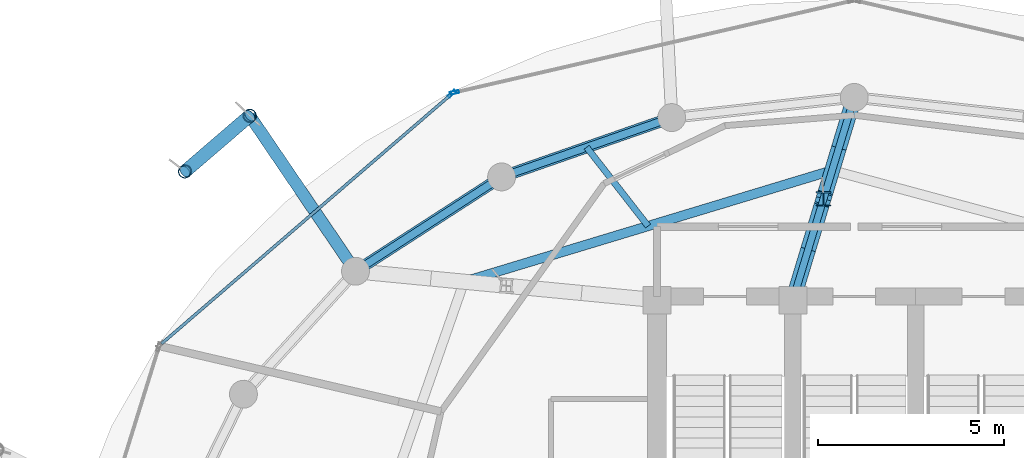
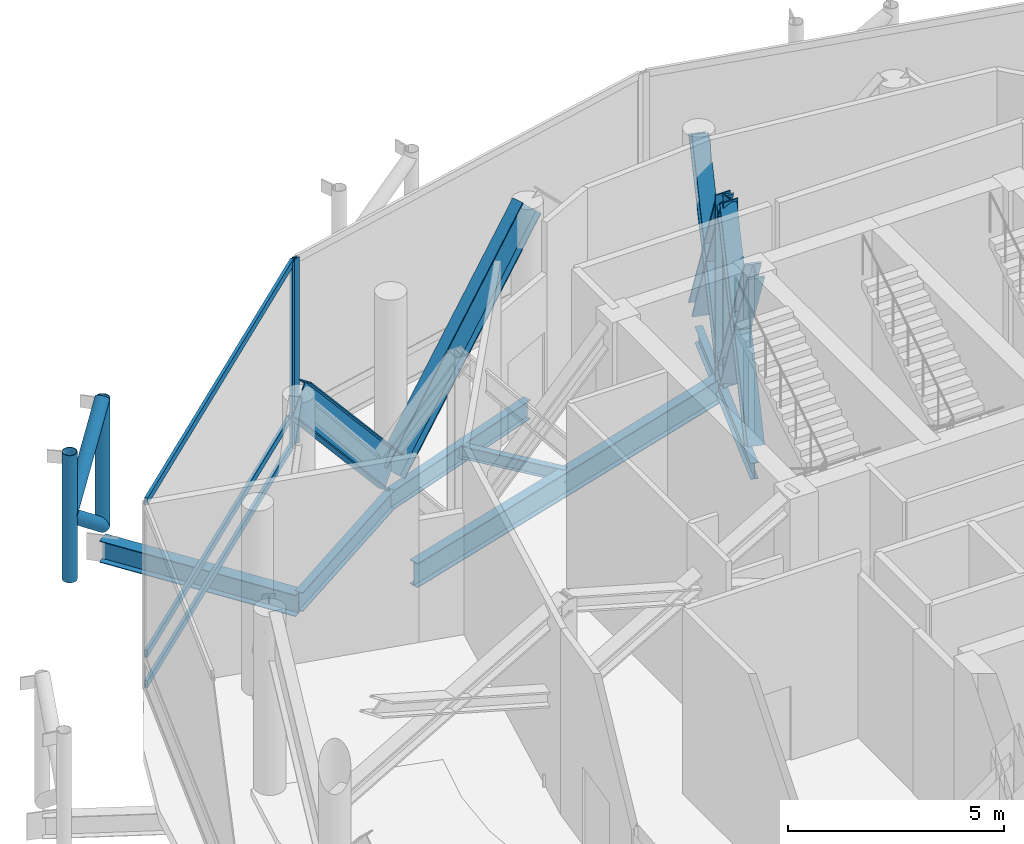
# One storey, part 13 of 26: 16 members, 6 beams, 2 elements without a shape of their own.
"""IFC4 building model written with IfcOpenShell, lengths in metres."""

from ifc_helpers import new_model, si_unit, direction, frame, origin, origin_2d, place, context, subcontext, project, spatial, hollow_rectangle, hollow_circle, i_section, extrude, material, layer, layer_set, material_profile, profile_set, type_object, element, aggregate, save


model = new_model("IFC4")

# Units and contexts
model_context = context("Model", 3, precision=1e-05, world=origin(), true_north=direction((0.0, 1.0)))
body_context = subcontext(model_context, "Body", "Model", "MODEL_VIEW")
ifc_project = project(units=[si_unit("LENGTHUNIT", "METRE"), si_unit("AREAUNIT", "SQUARE_METRE"), si_unit("VOLUMEUNIT", "CUBIC_METRE"), si_unit("PLANEANGLEUNIT", "RADIAN"), si_unit("MASSUNIT", "GRAM", prefix="KILO")], contexts=[model_context])

# Site, building, storey
site_placement = place(None, origin())
site = spatial("IfcSite", under=ifc_project, at=site_placement, CompositionType="ELEMENT")
building_placement = place(site_placement, origin())
building = spatial("IfcBuilding", under=site, at=building_placement, Name="Nuhasar Tower", CompositionType="ELEMENT")
storey_placement = place(building_placement, frame((0.0, 0.0, 301.199951171875)))
storey = spatial("IfcBuildingStorey", under=building, at=storey_placement, Name="L75", CompositionType="ELEMENT", Elevation=301.199951171875)

# Members
ifc_material_1 = material(Name="Steel S460", Category="steel")
ifc_material_profile_1 = material_profile(ifc_material_1, i_section(OverallWidth=0.306884765625, OverallDepth=0.927001953125, WebThickness=0.019287109375, FlangeThickness=0.031982421875, at=origin_2d()), Name="W36X194")
ifc_profile_set_1 = profile_set([ifc_material_profile_1], Name="Steel S460")
member_type_1 = type_object("IfcMemberType", Name="BLT-DIAG-W36B", PredefinedType="CHORD", material=ifc_profile_set_1)
member_1_placement = place(storey_placement, frame((29.52490234375, 40.613037109375, 0.150146484375), z_axis=(0.660125360585, 0.230245124166, 0.714997686087), x_axis=(-0.329332415729, 0.944214043504, 0.0)))
element("IfcMember", 1, at=member_1_placement, inside=storey, type_object=member_type_1, Name="L75 Belt Truss Diagonal 08", PredefinedType="CHORD", context=body_context, shape_type="SweptSolid", body=[
    extrude(i_section(OverallWidth=0.306884765625, OverallDepth=0.927001953125, WebThickness=0.019287109375, FlangeThickness=0.031982421875, at=origin_2d()), origin(), (0.0, 0.0, 1.0), 6.923095703125),
])
member_2_placement = place(storey_placement, frame((29.52490234375, 40.613037109375, 0.150146484375), z_axis=(-0.576596829619, -0.372442241774, 0.727202085129), x_axis=(0.54258381147, -0.840001671147, 0.0)))
element("IfcMember", 2, at=member_2_placement, inside=storey, type_object=member_type_1, Name="L75 Belt Truss Diagonal 09", PredefinedType="CHORD", context=body_context, shape_type="SweptSolid", body=[
    extrude(i_section(OverallWidth=0.306884765625, OverallDepth=0.927001953125, WebThickness=0.019287109375, FlangeThickness=0.031982421875, at=origin_2d()), origin(), (0.0, 0.0, 1.0), 6.806884765625),
])

# Beams
ifc_material_2 = material(Name="Steel S355", Category="steel")
ifc_material_profile_2 = material_profile(ifc_material_2, i_section(OverallWidth=0.25390625, OverallDepth=0.68408203125, WebThickness=0.012451171875, FlangeThickness=0.018798828125, at=origin_2d()), Name="W27X94")
ifc_profile_set_2 = profile_set([ifc_material_profile_2], Name="Steel S355")
beam_type_1 = type_object("IfcBeamType", Name="BM-INRING-W27X94", PredefinedType="BEAM", material=ifc_profile_set_2)
beam_1_placement = place(storey_placement, frame((38.406005859375, 40.7880859375, -0.69189453125), z_axis=(-0.957210818407, -0.289391515294, 0.0), x_axis=(0.289391515294, -0.957210818407, 0.0)))
element("IfcBeam", 3, at=beam_1_placement, inside=storey, type_object=beam_type_1, Name="L75 Inner Header Beam 06", PredefinedType="BEAM", context=body_context, shape_type="SweptSolid", body=[
    extrude(i_section(OverallWidth=0.25390625, OverallDepth=0.68408203125, WebThickness=0.012451171875, FlangeThickness=0.018798828125, at=origin_2d()), origin(), (0.0, 0.0, 1.0), 10.33203125),
])
ifc_material_profile_3 = material_profile(ifc_material_2, i_section(OverallWidth=0.1708984375, OverallDepth=0.35205078125, WebThickness=0.0068359375, FlangeThickness=0.009765625, at=origin_2d()), Name="W14X30")
ifc_profile_set_3 = profile_set([ifc_material_profile_3], Name="Steel S355")
beam_type_2 = type_object("IfcBeamType", Name="BM-JST-W14X30", PredefinedType="JOIST", material=ifc_profile_set_3)
beam_2_placement = place(storey_placement, frame((33.4609375, 39.29296875, -0.52587890625), z_axis=(-0.614953767351, 0.788563164256, 0.0), x_axis=(-0.788563164256, -0.614953767351, 0.0)))
element("IfcBeam", 4, at=beam_2_placement, inside=storey, type_object=beam_type_2, Name="L75 Secondary Floor Joist 06", PredefinedType="JOIST", context=body_context, shape_type="SweptSolid", body=[
    extrude(i_section(OverallWidth=0.1708984375, OverallDepth=0.35205078125, WebThickness=0.0068359375, FlangeThickness=0.009765625, at=origin_2d()), origin(), (0.0, 0.0, 1.0), 2.6845703125),
])
ifc_material_profile_4 = material_profile(ifc_material_2, i_section(OverallWidth=0.18994140625, OverallDepth=0.45703125, WebThickness=0.009033203125, FlangeThickness=0.014404296875, at=origin_2d()), Name="W18X50")
ifc_profile_set_4 = profile_set([ifc_material_profile_4], Name="Steel S355")
beam_type_3 = type_object("IfcBeamType", Name="BM-RAD-W18X50", PredefinedType="BEAM", material=ifc_profile_set_4)
beam_3_placement = place(storey_placement, frame((37.35009765625, 37.300048828125, -0.577880859375), z_axis=(0.289750350206, 0.957102259195, 0.0), x_axis=(-0.957102259195, 0.289750350206, 0.0)))
element("IfcBeam", 5, at=beam_3_placement, inside=storey, type_object=beam_type_3, Name="L75 Radial Floor Girder 06", PredefinedType="BEAM", context=body_context, shape_type="SweptSolid", body=[
    extrude(i_section(OverallWidth=0.18994140625, OverallDepth=0.45703125, WebThickness=0.009033203125, FlangeThickness=0.014404296875, at=origin_2d()), origin(), (0.0, 0.0, 1.0), 5.6943359375),
])
ifc_material_profile_5 = material_profile(ifc_material_2, i_section(OverallWidth=0.2099609375, OverallDepth=0.537109375, WebThickness=0.010986328125, FlangeThickness=0.017333984375, at=origin_2d()), Name="W21X68")
ifc_profile_set_5 = profile_set([ifc_material_profile_5], Name="Steel S355")
beam_type_4 = type_object("IfcBeamType", Name="BM-RING-W21X68", PredefinedType="SPANDREL", material=ifc_profile_set_5)
beam_4_placement = place(storey_placement, frame((34.094970703125, 42.20703125, -0.617919921875), z_axis=(-0.944214043504, -0.329332415729, 0.0), x_axis=(0.329332415729, -0.944214043504, 0.0)))
element("IfcBeam", 6, at=beam_4_placement, inside=storey, type_object=beam_type_4, Name="L75 Perimeter Ring Spandrel 08", PredefinedType="SPANDREL", context=body_context, shape_type="SweptSolid", body=[
    extrude(i_section(OverallWidth=0.2099609375, OverallDepth=0.537109375, WebThickness=0.010986328125, FlangeThickness=0.017333984375, at=origin_2d()), origin(), (0.0, 0.0, 1.0), 4.840087890625),
])
beam_5_placement = place(storey_placement, frame((29.52490234375, 40.613037109375, -0.617919921875), z_axis=(-0.840001671147, -0.54258381147, 0.0), x_axis=(0.54258381147, -0.840001671147, 0.0)))
element("IfcBeam", 7, at=beam_5_placement, inside=storey, type_object=beam_type_4, Name="L75 Perimeter Ring Spandrel 09", PredefinedType="SPANDREL", context=body_context, shape_type="SweptSolid", body=[
    extrude(i_section(OverallWidth=0.2099609375, OverallDepth=0.537109375, WebThickness=0.010986328125, FlangeThickness=0.017333984375, at=origin_2d()), origin(), (0.0, 0.0, 1.0), 4.67236328125),
])
ifc_material_profile_6 = material_profile(ifc_material_2, i_section(OverallWidth=0.323974609375, OverallDepth=0.611083984375, WebThickness=0.0126953125, FlangeThickness=0.01904296875, at=origin_2d()), Name="W24X104")
ifc_profile_set_6 = profile_set([ifc_material_profile_6], Name="Steel S355")
beam_type_5 = type_object("IfcBeamType", Name="BM-TIE-W24X104", PredefinedType="BEAM", material=ifc_profile_set_6)
beam_6_placement = place(storey_placement, frame((25.60009765625, 38.077880859375, -0.655029296875), z_axis=(-0.562070792096, 0.827089127405, 0.0), x_axis=(-0.827089127405, -0.562070792096, 0.0)))
element("IfcBeam", 8, at=beam_6_placement, inside=storey, type_object=beam_type_5, Name="L75 Exoskeleton Node Tie Beam 05", PredefinedType="BEAM", context=body_context, shape_type="SweptSolid", body=[
    extrude(i_section(OverallWidth=0.323974609375, OverallDepth=0.611083984375, WebThickness=0.0126953125, FlangeThickness=0.01904296875, at=origin_2d()), origin(), (0.0, 0.0, 1.0), 5.052978515625),
])

# Curtain wall, member
ifc_material_3 = material(Name="Aluminium 6063-T6", Category="aluminium")
ifc_layer = layer(ifc_material_3, 0.219970703125)
ifc_layer_set = layer_set([ifc_layer], Name="Aluminium 6063-T6")
curtain_wall_type = type_object("IfcCurtainWallType", Name="CW-CROWN", PredefinedType="NOTDEFINED", material=ifc_layer_set)
curtain_wall_1_placement = place(storey_placement, origin())
curtain_wall_1 = element("IfcCurtainWall", 9, at=curtain_wall_1_placement, inside=storey, type_object=curtain_wall_type, Name="L75 Unitised Curtain Wall 04", PredefinedType="NOTDEFINED")
ifc_material_profile_7 = material_profile(ifc_material_3, hollow_rectangle(XDim=0.080078125, YDim=0.239990234375, WallThickness=0.0048828125, at=origin_2d()), Name="CWM-7")
ifc_profile_set_7 = profile_set([ifc_material_profile_7], Name="Aluminium 6063-T6")
member_type_2 = type_object("IfcMemberType", Name="CW-MUL-S7", PredefinedType="MULLION", material=ifc_profile_set_7)
member_3_placement = place(storey_placement, frame((28.259033203125, 42.882080078125, 0.0), z_axis=(0.0, 0.0, 1.0), x_axis=(0.224800092578, -0.974404904738, 0.0)))
member_3 = element("IfcMember", 10, at=member_3_placement, type_object=member_type_2, Name="CW-CR mullion 2", PredefinedType="MULLION", context=body_context, shape_type="SweptSolid", body=[
    extrude(hollow_rectangle(XDim=0.080078125, YDim=0.239990234375, WallThickness=0.0048828125, at=origin_2d()), origin(), (0.0, 0.0, 1.0), 5.25),
])
aggregate(curtain_wall_1, [member_3])

# Curtain wall, members
curtain_wall_2_placement = place(storey_placement, origin())
curtain_wall_2 = element("IfcCurtainWall", 11, at=curtain_wall_2_placement, inside=storey, type_object=curtain_wall_type, Name="L75 Unitised Curtain Wall 05", PredefinedType="NOTDEFINED")
member_4_placement = place(storey_placement, frame((28.189697265625, 42.846923828125, 0.0), z_axis=(0.0, 0.0, 1.0), x_axis=(0.652363814796, -0.757905965898, 0.0)))
member_4 = element("IfcMember", 12, at=member_4_placement, type_object=member_type_2, Name="CW-CR mullion 1", PredefinedType="MULLION", context=body_context, shape_type="SweptSolid", body=[
    extrude(hollow_rectangle(XDim=0.080078125, YDim=0.239990234375, WallThickness=0.0048828125, at=origin_2d()), origin(), (0.0, 0.0, 1.0), 5.25),
])
ifc_material_profile_8 = material_profile(ifc_material_3, hollow_rectangle(XDim=0.080078125, YDim=0.199951171875, WallThickness=0.00439453125, at=origin_2d()), Name="CWT-7")
ifc_profile_set_8 = profile_set([ifc_material_profile_8], Name="Aluminium 6063-T6")
member_type_3 = type_object("IfcMemberType", Name="CW-TRN-S7", PredefinedType="USERDEFINED", material=ifc_profile_set_8)
member_5_placement = place(storey_placement, frame((28.159423828125, 42.82080078125, 0.0400390625), z_axis=(-0.75790189777, -0.652368541054, 0.0), x_axis=(0.652368541054, -0.75790189777, 0.0)))
member_5 = element("IfcMember", 13, at=member_5_placement, type_object=member_type_3, Name="CW-CR transom 1.1", ObjectType="TRANSOM", PredefinedType="USERDEFINED", context=body_context, shape_type="SweptSolid", body=[
    extrude(hollow_rectangle(XDim=0.080078125, YDim=0.199951171875, WallThickness=0.00439453125, at=origin_2d()), origin(), (0.0, 0.0, 1.0), 10.2529296875),
])
member_6_placement = place(storey_placement, frame((28.159423828125, 42.82080078125, 0.900146484375), z_axis=(-0.75790189777, -0.652368541054, 0.0), x_axis=(0.652368541054, -0.75790189777, 0.0)))
member_6 = element("IfcMember", 14, at=member_6_placement, type_object=member_type_3, Name="CW-CR transom 1.2", ObjectType="TRANSOM", PredefinedType="USERDEFINED", context=body_context, shape_type="SweptSolid", body=[
    extrude(hollow_rectangle(XDim=0.080078125, YDim=0.199951171875, WallThickness=0.00439453125, at=origin_2d()), origin(), (0.0, 0.0, 1.0), 10.2529296875),
])
member_7_placement = place(storey_placement, frame((28.159423828125, 42.82080078125, 5.2099609375), z_axis=(-0.75790189777, -0.652368541054, 0.0), x_axis=(0.652368541054, -0.75790189777, 0.0)))
member_7 = element("IfcMember", 15, at=member_7_placement, type_object=member_type_3, Name="CW-CR transom 1.3", ObjectType="TRANSOM", PredefinedType="USERDEFINED", context=body_context, shape_type="SweptSolid", body=[
    extrude(hollow_rectangle(XDim=0.080078125, YDim=0.199951171875, WallThickness=0.00439453125, at=origin_2d()), origin(), (0.0, 0.0, 1.0), 10.2529296875),
])
aggregate(curtain_wall_2, [member_4, member_5, member_6, member_7])

# Members
ifc_material_profile_9 = material_profile(ifc_material_1, hollow_circle(Radius=0.177734375, WallThickness=0.015869140625, at=origin_2d()), Name="HSS355.6X15.9")
ifc_profile_set_9 = profile_set([ifc_material_profile_9], Name="Steel S460")
member_type_4 = type_object("IfcMemberType", Name="EXO-BRONZE-356", PredefinedType="BRACE", material=ifc_profile_set_9)
for number, where, z_axis, x_axis, name in (
    (16, (22.760009765625, 42.257080078125, 0.0), (0.0, 0.0, 1.0), (1.0, 0.0, 0.0), "L75 Exoskeleton Chord Column EC-05A"),
    (17, (21.01611328125, 40.758056640625, 0.0), (0.0, 0.0, 1.0), (1.0, 0.0, 0.0), "L75 Exoskeleton Chord Column EC-05B"),
):
    element("IfcMember", number, at=place(storey_placement, frame(where, z_axis=z_axis, x_axis=x_axis)), inside=storey, type_object=member_type_4, Name=name, PredefinedType="BRACE", context=body_context, shape_type="SweptSolid", body=[
        extrude(hollow_circle(Radius=0.177734375, WallThickness=0.015869140625, at=origin_2d()), origin(), (0.0, 0.0, 1.0), 3.60009765625),
    ])
for number, where, z_axis, x_axis, name in (
    (18, (22.760009765625, 42.257080078125, 0.0), (-0.597154021397, -0.513303330726, 0.616381996326), (0.65185738425, -0.758341579104, 0.0), "L75 Bronze Diagrid Brace W1-05"),
    (19, (21.01611328125, 40.758056640625, 1.800048828125), (0.597154021397, 0.513303330726, 0.616381996326), (-0.65185738425, 0.758341579104, 0.0), "L75 Bronze Diagrid Brace W2-05"),
):
    element("IfcMember", number, at=place(storey_placement, frame(where, z_axis=z_axis, x_axis=x_axis)), inside=storey, type_object=member_type_4, Name=name, PredefinedType="BRACE", context=body_context, shape_type="SweptSolid", body=[
        extrude(hollow_circle(Radius=0.177734375, WallThickness=0.015869140625, at=origin_2d()), origin(), (0.0, 0.0, 1.0), 2.92041015625),
    ])
ifc_material_profile_10 = material_profile(ifc_material_1, i_section(OverallWidth=0.39892578125, OverallDepth=0.385986328125, WebThickness=0.02099609375, FlangeThickness=0.033203125, at=origin_2d()), Name="W14X176")
ifc_profile_set_10 = profile_set([ifc_material_profile_10], Name="Steel S460")
member_type_5 = type_object("IfcMemberType", Name="OUT-CHRD-W14C", PredefinedType="CHORD", material=ifc_profile_set_10)
member_8_placement = place(storey_placement, frame((38.175048828125, 40.02490234375, 0.0), z_axis=(0.0, 0.0, 1.0), x_axis=(1.0, 0.0, 0.0)))
element("IfcMember", 20, at=member_8_placement, inside=storey, type_object=member_type_5, Name="L75 Outrigger Truss Post 06", PredefinedType="CHORD", context=body_context, shape_type="SweptSolid", body=[
    extrude(i_section(OverallWidth=0.39892578125, OverallDepth=0.385986328125, WebThickness=0.02099609375, FlangeThickness=0.033203125, at=origin_2d()), origin(), (0.0, 0.0, 1.0), 5.25),
])
ifc_material_profile_11 = material_profile(ifc_material_1, i_section(OverallWidth=0.406005859375, OverallDepth=0.416015625, WebThickness=0.02978515625, FlangeThickness=0.048095703125, at=origin_2d()), Name="W14X257")
ifc_profile_set_11 = profile_set([ifc_material_profile_11], Name="Steel S460")
member_type_6 = type_object("IfcMemberType", Name="OUT-DIAG-W14B", PredefinedType="STRUT", material=ifc_profile_set_11)
for number, where, z_axis, x_axis, name in (
    (21, (37.35009765625, 37.300048828125, 0.150146484375), (0.144467527486, 0.477183212272, 0.866847919435), (-0.957098659378, 0.289762240842, 0.0), "L75 Outrigger Truss Diagonal IN1-06"),
    (22, (38.175048828125, 40.02490234375, 0.150146484375), (-0.144467527486, -0.477183212272, 0.866847919435), (0.957098659378, -0.289762240842, 0.0), "L75 Outrigger Truss Diagonal IN2-06"),
):
    element("IfcMember", number, at=place(storey_placement, frame(where, z_axis=z_axis, x_axis=x_axis)), inside=storey, type_object=member_type_6, Name=name, PredefinedType="STRUT", context=body_context, shape_type="SweptSolid", body=[
        extrude(i_section(OverallWidth=0.406005859375, OverallDepth=0.416015625, WebThickness=0.02978515625, FlangeThickness=0.048095703125, at=origin_2d()), origin(), (0.0, 0.0, 1.0), 5.710205078125),
    ])
for number, where, z_axis, x_axis, name in (
    (23, (38.175048828125, 40.02490234375, 0.150146484375), (0.144464580055, 0.477216230415, 0.866830233978), (-0.957105858569, 0.2897384605, 0.0), "L75 Outrigger Truss Diagonal OUT1-06"),
    (24, (39.0, 42.75, 0.150146484375), (-0.144464580055, -0.477216230415, 0.866830233978), (0.957105858569, -0.2897384605, 0.0), "L75 Outrigger Truss Diagonal OUT2-06"),
):
    element("IfcMember", number, at=place(storey_placement, frame(where, z_axis=z_axis, x_axis=x_axis)), inside=storey, type_object=member_type_6, Name=name, PredefinedType="STRUT", context=body_context, shape_type="SweptSolid", body=[
        extrude(i_section(OverallWidth=0.406005859375, OverallDepth=0.416015625, WebThickness=0.02978515625, FlangeThickness=0.048095703125, at=origin_2d()), origin(), (0.0, 0.0, 1.0), 5.71044921875),
    ])

save(model, "model.ifc")
